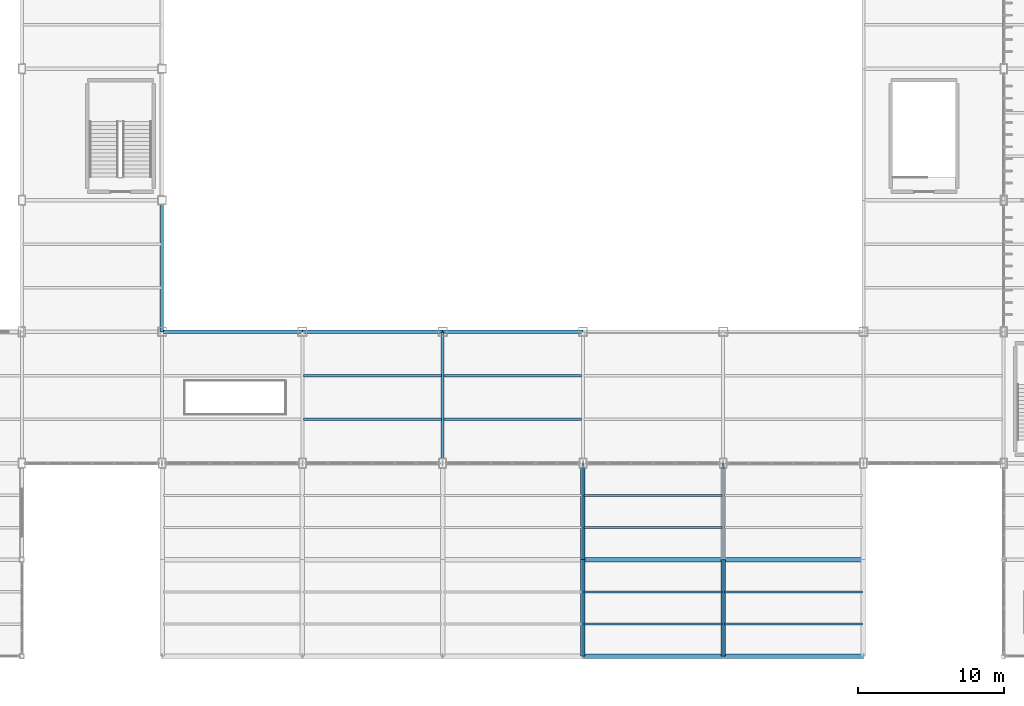
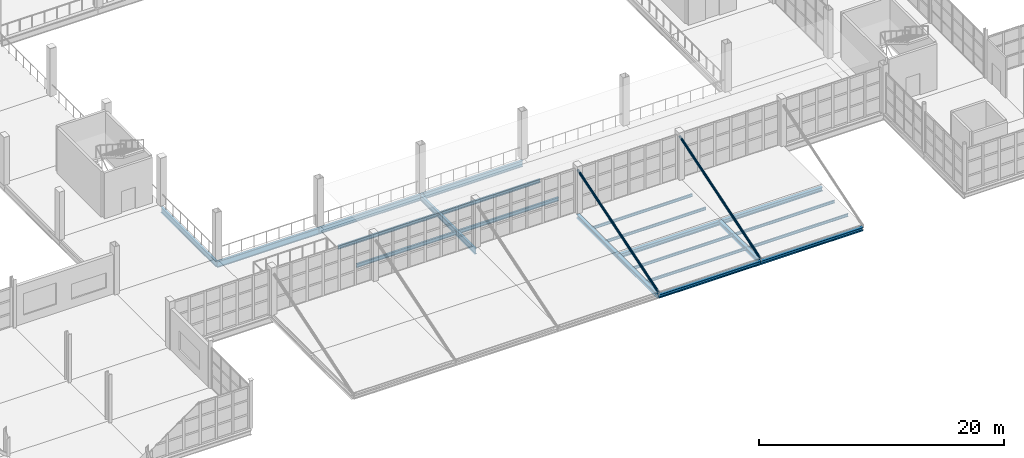
# One storey, part 29 of 120: 22 beams, 2 members.
"""IFC4 building model written with IfcOpenShell, lengths in metres."""

import ifcopenshell
import ifcopenshell.guid

model = None  # the IFC model being written
_history = None  # IfcOwnerHistory: only IFC2X3 demands one
_inside = {}  # id of a spatial element -> (the spatial element, [elements in it])
_under = {}  # id of a project, library or spatial element -> (it, [spatial elements below it])
_declared = {}  # id of a project -> (the project, [libraries it declares])
_typed = {}  # id of a type object -> (the type object, [elements of that type])
_made_of = {}  # id of a material, layer set ... -> (it, [elements and type objects made of it])


def new_model(schema):
    """Start an empty IFC model of exactly this schema.

    Asked for "IFC4X3", IfcOpenShell would pick the latest addendum, in which some entities
    have other attributes; the version numbers below select the first issue.
    IFC2X3 requires an IfcOwnerHistory on every rooted entity: one is made here for all.
    """
    global model, _history
    if schema == "IFC4X3":
        model = ifcopenshell.file(schema_version=(4, 3, 0, 0))
    else:
        model = ifcopenshell.file(schema=schema)
    _inside.clear()
    _under.clear()
    _declared.clear()
    _typed.clear()
    _made_of.clear()
    _history = None
    if model.schema == "IFC2X3":
        org = make("IfcOrganization", Name="unknown")
        user = make(
            "IfcPersonAndOrganization",
            ThePerson=make("IfcPerson", FamilyName="unknown"),
            TheOrganization=org,
        )
        app = make(
            "IfcApplication",
            ApplicationDeveloper=org,
            Version="unknown",
            ApplicationFullName="unknown",
            ApplicationIdentifier="unknown",
        )
        _history = make(
            "IfcOwnerHistory",
            OwningUser=user,
            OwningApplication=app,
            ChangeAction="ADDED",
            CreationDate=0,
        )
    return model


def make(cls, **values):
    """One entity of the class cls with the attributes given. An attribute that is None is left unset."""
    return model.create_entity(
        cls, **{name: value for name, value in values.items() if value is not None}
    )


def rooted(cls, **values):
    """An entity with a GlobalId (a new one), such as an element, a storey or a relation."""
    return make(cls, GlobalId=ifcopenshell.guid.new(), OwnerHistory=_history, **values)


def si_unit(unit_type, name, prefix=None):
    """IfcSIUnit, for example si_unit("LENGTHUNIT", "METRE", prefix="MILLI")."""
    return make("IfcSIUnit", UnitType=unit_type, Prefix=prefix, Name=name)


def assignment(units):
    """IfcUnitAssignment: the units of a project."""
    return None if units is None else make("IfcUnitAssignment", Units=units)


def point(xyz):
    """IfcCartesianPoint."""
    return None if xyz is None else make("IfcCartesianPoint", Coordinates=xyz)


def direction(xyz):
    """IfcDirection."""
    return None if xyz is None else make("IfcDirection", DirectionRatios=xyz)


def frame(location, z_axis=None, x_axis=None):
    """IfcAxis2Placement3D, a coordinate frame: its origin and axes. An axis left out is left unset."""
    return make(
        "IfcAxis2Placement3D",
        Location=point(location),
        Axis=direction(z_axis),
        RefDirection=direction(x_axis),
    )


def frame_2d(location, x_axis=None):
    """IfcAxis2Placement2D, a coordinate frame in the plane: its origin and x axis."""
    return make(
        "IfcAxis2Placement2D", Location=point(location), RefDirection=direction(x_axis)
    )


def origin():
    """The frame at (0, 0, 0) with its axes left unset."""
    return frame((0.0, 0.0, 0.0))


def origin_2d():
    """The frame at (0, 0) in the plane with its x axis left unset."""
    return frame_2d((0.0, 0.0))


def place(relative_to, where):
    """IfcLocalPlacement: puts the frame where relative to a parent placement (None: the world)."""
    return make(
        "IfcLocalPlacement", PlacementRelTo=relative_to, RelativePlacement=where
    )


def context(
    kind, dimensions, precision=None, world=None, true_north=None, identifier=None
):
    """IfcGeometricRepresentationContext, for example the 3D "Model" context."""
    return make(
        "IfcGeometricRepresentationContext",
        ContextIdentifier=identifier,
        ContextType=kind,
        CoordinateSpaceDimension=dimensions,
        Precision=precision,
        WorldCoordinateSystem=world,
        TrueNorth=true_north,
    )


def subcontext(parent, identifier, kind, view, scale=None):
    """IfcGeometricRepresentationSubContext, for example "Body" below "Model"."""
    return make(
        "IfcGeometricRepresentationSubContext",
        ContextIdentifier=identifier,
        ContextType=kind,
        ParentContext=parent,
        TargetScale=scale,
        TargetView=view,
    )


def project(units=None, contexts=None):
    """IfcProject with its units and contexts."""
    return rooted(
        "IfcProject",
        Name="project",
        RepresentationContexts=contexts,
        UnitsInContext=assignment(units),
    )


def spatial(cls, under=None, at=None, **own):
    """A site, building, storey or space (cls), placed at a placement, below another one or the project."""
    s = rooted(cls, ObjectPlacement=at, **own)
    if under is not None:
        _under.setdefault(under.id(), (under, []))[1].append(s)
    return s


def profile(cls, at=None, kind="AREA", **sizes):
    """A parametric profile (cls). Its sizes go by their IFC names, for example OverallWidth=200.0."""
    return make(cls, ProfileType=kind, Position=at, **sizes)


def hollow_circle(**sizes):
    """IfcCircleHollowProfileDef."""
    return profile("IfcCircleHollowProfileDef", **sizes)


def i_section(**sizes):
    """IfcIShapeProfileDef."""
    return profile("IfcIShapeProfileDef", **sizes)


def extrude(swept, where, along, depth):
    """IfcExtrudedAreaSolid: the profile swept, set in the frame where, extruded along a direction by depth."""
    return make(
        "IfcExtrudedAreaSolid",
        SweptArea=swept,
        Position=where,
        ExtrudedDirection=direction(along),
        Depth=depth,
    )


def shape(context_of_items, identifier, shape_type, items):
    """IfcShapeRepresentation: the items that make up one representation, for example the "Body"."""
    return make(
        "IfcShapeRepresentation",
        ContextOfItems=context_of_items,
        RepresentationIdentifier=identifier,
        RepresentationType=shape_type,
        Items=items,
    )


def material(Name=None, Category=None):
    """IfcMaterial."""
    return make("IfcMaterial", Name=Name, Category=Category)


def material_profile(
    of_material, cross_section, Name=None, Category=None, Priority=None
):
    """IfcMaterialProfile: a cross section and its material."""
    return make(
        "IfcMaterialProfile",
        Name=Name,
        Material=of_material,
        Profile=cross_section,
        Priority=Priority,
        Category=Category,
    )


def profile_set(profiles, Name=None, composite=None):
    """IfcMaterialProfileSet."""
    return make(
        "IfcMaterialProfileSet",
        Name=Name,
        MaterialProfiles=profiles,
        CompositeProfile=composite,
    )


def made_of(thing, what):
    """Note that an element or type object is made of a material, layer set ...; save() writes the relation."""
    if what is not None:
        _made_of.setdefault(what.id(), (what, []))[1].append(thing)
    return thing


def type_object(cls, material=None, **own):
    """A type object (cls), such as IfcWallType, which elements share."""
    return made_of(rooted(cls, **own), material)


def element(
    cls,
    number,
    at=None,
    inside=None,
    cuts=None,
    type_object=None,
    material=None,
    context=None,
    identifier="Body",
    shape_type=None,
    held_by="IfcProductDefinitionShape",
    body=None,
    shapes=None,
    **own,
):
    """One element of the class cls, such as IfcWall. Its Tag is "e" and its number.

    at: its placement. inside: the storey or other place that contains it. cuts: it is an
    opening in that element (IfcRelVoidsElement). A single representation is given by context,
    identifier, shape_type and body (its items); several are given by shapes. held_by: the class
    of the entity that holds the representations. save() writes the other relations.
    """
    e = rooted(cls, Tag="e%d" % number, ObjectPlacement=at, **own)
    if body is not None:
        shapes = [shape(context, identifier, shape_type, body)]
    if shapes is not None:
        e.Representation = make(held_by, Representations=shapes)
    if inside is not None:
        _inside.setdefault(inside.id(), (inside, []))[1].append(e)
    if cuts is not None:
        rooted(
            "IfcRelVoidsElement", RelatingBuildingElement=cuts, RelatedOpeningElement=e
        )
    if type_object is not None:
        _typed.setdefault(type_object.id(), (type_object, []))[1].append(e)
    return made_of(e, material)


def aggregate(whole, parts):
    """IfcRelAggregates: a whole, such as a stair, and the parts it consists of."""
    return rooted("IfcRelAggregates", RelatingObject=whole, RelatedObjects=parts)


def save(model, path):
    """Write the relations noted so far, then the file.

    IfcRelAggregates (storeys below a building ...), IfcRelContainedInSpatialStructure (elements
    in a storey), IfcRelDefinesByType, IfcRelAssociatesMaterial and IfcRelDeclares: one each for
    every whole, place, type object, material and project.
    """
    for whole, parts in _under.values():
        aggregate(whole, parts)
    for where, things in _inside.values():
        rooted(
            "IfcRelContainedInSpatialStructure",
            RelatedElements=things,
            RelatingStructure=where,
        )
    for kind, things in _typed.values():
        rooted("IfcRelDefinesByType", RelatedObjects=things, RelatingType=kind)
    for what, things in _made_of.values():
        rooted("IfcRelAssociatesMaterial", RelatedObjects=things, RelatingMaterial=what)
    for by, libraries in _declared.values():
        rooted("IfcRelDeclares", RelatingContext=by, RelatedDefinitions=libraries)
    model.write(path)


model = new_model("IFC4")

# Units and contexts
model_context = context("Model", 3, precision=1e-05, world=origin(), true_north=direction((0.0, 1.0)))
body_context = subcontext(model_context, "Body", "Model", "MODEL_VIEW")
ifc_project = project(units=[si_unit("LENGTHUNIT", "METRE"), si_unit("AREAUNIT", "SQUARE_METRE"), si_unit("VOLUMEUNIT", "CUBIC_METRE"), si_unit("PLANEANGLEUNIT", "RADIAN"), si_unit("MASSUNIT", "GRAM", prefix="KILO")], contexts=[model_context])

# Site, building, storey
site_placement = place(None, origin())
site = spatial("IfcSite", under=ifc_project, at=site_placement, CompositionType="ELEMENT")
building_placement = place(site_placement, origin())
building = spatial("IfcBuilding", under=site, at=building_placement, Name="Zarnetskaya Central Station", CompositionType="ELEMENT")
storey_placement = place(building_placement, frame((0.0, 0.0, 5.39990234375)))
storey = spatial("IfcBuildingStorey", under=building, at=storey_placement, Name="L01", CompositionType="ELEMENT", Elevation=5.39990234375)

# Beams
ifc_material = material(Name="Steel S355", Category="steel")
ifc_material_profile_1 = material_profile(ifc_material, i_section(OverallWidth=0.135009765625, OverallDepth=0.27001953125, WebThickness=0.006591796875, FlangeThickness=0.01025390625, FilletRadius=0.014892578125, at=origin_2d()), Name="IPE 270")
ifc_profile_set_1 = profile_set([ifc_material_profile_1], Name="Steel S355")
beam_type_1 = type_object("IfcBeamType", Name="BM-JST-270", PredefinedType="JOIST", material=ifc_profile_set_1)
for number, where, z_axis, x_axis, name in (
    (1, (96.080078125, 2.199951171875, -0.294921875), (1.0, 0.0, 0.0), (0.0, 1.0, 0.0), "Secondary floor beam SEC-L01-Z524-LM-12-1"),
    (2, (96.080078125, 4.39990234375, -0.294921875), (1.0, 0.0, 0.0), (0.0, 1.0, 0.0), "Secondary floor beam SEC-L01-Z524-LM-12-2"),
    (3, (96.080078125, 8.800048828125, -0.294921875), (1.0, 0.0, 0.0), (0.0, 1.0, 0.0), "Secondary floor beam SEC-L01-Z524-LM-23-1"),
    (4, (96.080078125, 11.0, -0.294921875), (1.0, 0.0, 0.0), (0.0, 1.0, 0.0), "Secondary floor beam SEC-L01-Z524-LM-23-2"),
):
    element("IfcBeam", number, at=place(storey_placement, frame(where, z_axis=z_axis, x_axis=x_axis)), inside=storey, type_object=beam_type_1, Name=name, PredefinedType="JOIST", context=body_context, shape_type="SweptSolid", body=[
        extrude(i_section(OverallWidth=0.135009765625, OverallDepth=0.27001953125, WebThickness=0.006591796875, FlangeThickness=0.01025390625, FilletRadius=0.014892578125, at=origin_2d()), origin(), (0.0, 0.0, 1.0), 9.43994140625),
    ])
for number, where, z_axis, x_axis, name in (
    (5, (105.679931640625, 2.199951171875, -0.294921875), (1.0, 0.0, 0.0), (0.0, 1.0, 0.0), "Secondary floor beam SEC-L01-Z524-MN-12-1"),
    (6, (105.679931640625, 4.39990234375, -0.294921875), (1.0, 0.0, 0.0), (0.0, 1.0, 0.0), "Secondary floor beam SEC-L01-Z524-MN-12-2"),
):
    element("IfcBeam", number, at=place(storey_placement, frame(where, z_axis=z_axis, x_axis=x_axis)), inside=storey, type_object=beam_type_1, Name=name, PredefinedType="JOIST", context=body_context, shape_type="SweptSolid", body=[
        extrude(i_section(OverallWidth=0.135009765625, OverallDepth=0.27001953125, WebThickness=0.006591796875, FlangeThickness=0.01025390625, FilletRadius=0.014892578125, at=origin_2d()), origin(), (0.0, 0.0, 1.0), 9.440185546875),
    ])
ifc_material_profile_2 = material_profile(ifc_material, i_section(OverallWidth=0.169921875, OverallDepth=0.360107421875, WebThickness=0.008056640625, FlangeThickness=0.0126953125, FilletRadius=0.01806640625, at=origin_2d()), Name="IPE 360")
ifc_profile_set_2 = profile_set([ifc_material_profile_2], Name="Steel S355")
beam_type_2 = type_object("IfcBeamType", Name="BM-SEC-360", PredefinedType="BEAM", material=ifc_profile_set_2)
for number, where, z_axis, x_axis, name in (
    (7, (76.8798828125, 16.199951171875, -0.4599609375), (1.0, 0.0, 0.0), (0.0, 1.0, 0.0), "Secondary floor beam SEC-L01-Z512-JK-34-1"),
    (8, (76.8798828125, 19.199951171875, -0.4599609375), (1.0, 0.0, 0.0), (0.0, 1.0, 0.0), "Secondary floor beam SEC-L01-Z512-JK-34-2"),
):
    element("IfcBeam", number, at=place(storey_placement, frame(where, z_axis=z_axis, x_axis=x_axis)), inside=storey, type_object=beam_type_2, Name=name, PredefinedType="BEAM", context=body_context, shape_type="SweptSolid", body=[
        extrude(i_section(OverallWidth=0.169921875, OverallDepth=0.360107421875, WebThickness=0.008056640625, FlangeThickness=0.0126953125, FilletRadius=0.01806640625, at=origin_2d()), origin(), (0.0, 0.0, 1.0), 9.440185546875),
    ])
for number, where, z_axis, x_axis, name in (
    (9, (86.47998046875, 16.199951171875, -0.4599609375), (1.0, 0.0, 0.0), (0.0, 1.0, 0.0), "Secondary floor beam SEC-L01-Z512-KL-34-1"),
    (10, (86.47998046875, 19.199951171875, -0.4599609375), (1.0, 0.0, 0.0), (0.0, 1.0, 0.0), "Secondary floor beam SEC-L01-Z512-KL-34-2"),
):
    element("IfcBeam", number, at=place(storey_placement, frame(where, z_axis=z_axis, x_axis=x_axis)), inside=storey, type_object=beam_type_2, Name=name, PredefinedType="BEAM", context=body_context, shape_type="SweptSolid", body=[
        extrude(i_section(OverallWidth=0.169921875, OverallDepth=0.360107421875, WebThickness=0.008056640625, FlangeThickness=0.0126953125, FilletRadius=0.01806640625, at=origin_2d()), origin(), (0.0, 0.0, 1.0), 9.43994140625),
    ])
ifc_material_profile_3 = material_profile(ifc_material, i_section(OverallWidth=0.300048828125, OverallDepth=0.35009765625, WebThickness=0.010009765625, FlangeThickness=0.017578125, FilletRadius=0.027099609375, at=origin_2d()), Name="HEA 360")
ifc_profile_set_3 = profile_set([ifc_material_profile_3], Name="Steel S355")
beam_type_3 = type_object("IfcBeamType", Name="BM-SPN-EAVE", PredefinedType="SPANDREL", material=ifc_profile_set_3)
beam_1_placement = place(storey_placement, frame((96.0, 0.0, -0.3349609375), z_axis=(1.0, 0.0, 0.0), x_axis=(0.0, 1.0, 0.0)))
element("IfcBeam", 11, at=beam_1_placement, inside=storey, type_object=beam_type_3, Name="Grid girder GX-L01-1-LM", PredefinedType="SPANDREL", context=body_context, shape_type="SweptSolid", body=[
    extrude(i_section(OverallWidth=0.300048828125, OverallDepth=0.35009765625, WebThickness=0.010009765625, FlangeThickness=0.017578125, FilletRadius=0.027099609375, at=origin_2d()), origin(), (0.0, 0.0, 1.0), 9.60009765625),
])
beam_2_placement = place(storey_placement, frame((105.60009765625, 0.0, -0.3349609375), z_axis=(1.0, 0.0, 0.0), x_axis=(0.0, 1.0, 0.0)))
element("IfcBeam", 12, at=beam_2_placement, inside=storey, type_object=beam_type_3, Name="Grid girder GX-L01-1-MN", PredefinedType="SPANDREL", context=body_context, shape_type="SweptSolid", body=[
    extrude(i_section(OverallWidth=0.300048828125, OverallDepth=0.35009765625, WebThickness=0.010009765625, FlangeThickness=0.017578125, FilletRadius=0.027099609375, at=origin_2d()), origin(), (0.0, 0.0, 1.0), 9.599853515625),
])
ifc_material_profile_4 = material_profile(ifc_material, i_section(OverallWidth=0.2099609375, OverallDepth=0.550048828125, WebThickness=0.010986328125, FlangeThickness=0.01708984375, FilletRadius=0.02392578125, at=origin_2d()), Name="IPE 550")
ifc_profile_set_4 = profile_set([ifc_material_profile_4], Name="Steel S355")
beam_type_4 = type_object("IfcBeamType", Name="GD-FLR-550", PredefinedType="USERDEFINED", material=ifc_profile_set_4)
for number, where, z_axis, x_axis, name in (
    (13, (67.199951171875, 22.199951171875, -0.554931640625), (0.0, 1.0, 0.0), (-1.0, 0.0, 0.0), "Grid girder GY-L01-H-45"),
    (14, (86.39990234375, 13.199951171875, -0.554931640625), (0.0, 1.0, 0.0), (-1.0, 0.0, 0.0), "Grid girder GY-L01-K-34"),
):
    element("IfcBeam", number, at=place(storey_placement, frame(where, z_axis=z_axis, x_axis=x_axis)), inside=storey, type_object=beam_type_4, Name=name, ObjectType="GIRDER", PredefinedType="USERDEFINED", context=body_context, shape_type="SweptSolid", body=[
        extrude(i_section(OverallWidth=0.2099609375, OverallDepth=0.550048828125, WebThickness=0.010986328125, FlangeThickness=0.01708984375, FilletRadius=0.02392578125, at=origin_2d()), origin(), (0.0, 0.0, 1.0), 9.0),
    ])
ifc_material_profile_5 = material_profile(ifc_material, i_section(OverallWidth=0.219970703125, OverallDepth=0.60009765625, WebThickness=0.011962890625, FlangeThickness=0.01904296875, FilletRadius=0.02392578125, at=origin_2d()), Name="IPE 600")
ifc_profile_set_5 = profile_set([ifc_material_profile_5], Name="Steel S355")
beam_type_5 = type_object("IfcBeamType", Name="GD-FLR-600", PredefinedType="USERDEFINED", material=ifc_profile_set_5)
beam_3_placement = place(storey_placement, frame((67.199951171875, 22.199951171875, -0.579833984375), z_axis=(1.0, 0.0, 0.0), x_axis=(0.0, 1.0, 0.0)))
element("IfcBeam", 15, at=beam_3_placement, inside=storey, type_object=beam_type_5, Name="Grid girder GX-L01-4-HJ", ObjectType="GIRDER", PredefinedType="USERDEFINED", context=body_context, shape_type="SweptSolid", body=[
    extrude(i_section(OverallWidth=0.219970703125, OverallDepth=0.60009765625, WebThickness=0.011962890625, FlangeThickness=0.01904296875, FilletRadius=0.02392578125, at=origin_2d()), origin(), (0.0, 0.0, 1.0), 9.60009765625),
])
beam_4_placement = place(storey_placement, frame((76.800048828125, 22.199951171875, -0.579833984375), z_axis=(1.0, 0.0, 0.0), x_axis=(0.0, 1.0, 0.0)))
element("IfcBeam", 16, at=beam_4_placement, inside=storey, type_object=beam_type_5, Name="Grid girder GX-L01-4-JK", ObjectType="GIRDER", PredefinedType="USERDEFINED", context=body_context, shape_type="SweptSolid", body=[
    extrude(i_section(OverallWidth=0.219970703125, OverallDepth=0.60009765625, WebThickness=0.011962890625, FlangeThickness=0.01904296875, FilletRadius=0.02392578125, at=origin_2d()), origin(), (0.0, 0.0, 1.0), 9.599853515625),
])
beam_5_placement = place(storey_placement, frame((86.39990234375, 22.199951171875, -0.579833984375), z_axis=(1.0, 0.0, 0.0), x_axis=(0.0, 1.0, 0.0)))
element("IfcBeam", 17, at=beam_5_placement, inside=storey, type_object=beam_type_5, Name="Grid girder GX-L01-4-KL", ObjectType="GIRDER", PredefinedType="USERDEFINED", context=body_context, shape_type="SweptSolid", body=[
    extrude(i_section(OverallWidth=0.219970703125, OverallDepth=0.60009765625, WebThickness=0.011962890625, FlangeThickness=0.01904296875, FilletRadius=0.02392578125, at=origin_2d()), origin(), (0.0, 0.0, 1.0), 9.60009765625),
])
ifc_material_profile_6 = material_profile(ifc_material, i_section(OverallWidth=0.300048828125, OverallDepth=0.389892578125, WebThickness=0.010986328125, FlangeThickness=0.01904296875, FilletRadius=0.027099609375, at=origin_2d()), Name="HEA 400")
ifc_profile_set_6 = profile_set([ifc_material_profile_6], Name="Steel S355")
beam_type_6 = type_object("IfcBeamType", Name="GD-ROOF-400", PredefinedType="USERDEFINED", material=ifc_profile_set_6)
beam_6_placement = place(storey_placement, frame((96.0, 0.0, -0.35498046875), z_axis=(0.0, 1.0, 0.0), x_axis=(-1.0, 0.0, 0.0)))
element("IfcBeam", 18, at=beam_6_placement, inside=storey, type_object=beam_type_6, Name="Grid girder GY-L01-L-12", ObjectType="GIRDER", PredefinedType="USERDEFINED", context=body_context, shape_type="SweptSolid", body=[
    extrude(i_section(OverallWidth=0.300048828125, OverallDepth=0.389892578125, WebThickness=0.010986328125, FlangeThickness=0.01904296875, FilletRadius=0.027099609375, at=origin_2d()), origin(), (0.0, 0.0, 1.0), 6.60009765625),
])
beam_7_placement = place(storey_placement, frame((96.0, 6.60009765625, -0.35498046875), z_axis=(0.0, 1.0, 0.0), x_axis=(-1.0, 0.0, 0.0)))
element("IfcBeam", 19, at=beam_7_placement, inside=storey, type_object=beam_type_6, Name="Grid girder GY-L01-L-23", ObjectType="GIRDER", PredefinedType="USERDEFINED", context=body_context, shape_type="SweptSolid", body=[
    extrude(i_section(OverallWidth=0.300048828125, OverallDepth=0.389892578125, WebThickness=0.010986328125, FlangeThickness=0.01904296875, FilletRadius=0.027099609375, at=origin_2d()), origin(), (0.0, 0.0, 1.0), 6.599853515625),
])
beam_8_placement = place(storey_placement, frame((96.0, 6.60009765625, -0.35498046875), z_axis=(1.0, 0.0, 0.0), x_axis=(0.0, 1.0, 0.0)))
element("IfcBeam", 20, at=beam_8_placement, inside=storey, type_object=beam_type_6, Name="Grid girder GX-L01-2-LM", ObjectType="GIRDER", PredefinedType="USERDEFINED", context=body_context, shape_type="SweptSolid", body=[
    extrude(i_section(OverallWidth=0.300048828125, OverallDepth=0.389892578125, WebThickness=0.010986328125, FlangeThickness=0.01904296875, FilletRadius=0.027099609375, at=origin_2d()), origin(), (0.0, 0.0, 1.0), 9.60009765625),
])
beam_9_placement = place(storey_placement, frame((105.60009765625, 0.0, -0.35498046875), z_axis=(0.0, 1.0, 0.0), x_axis=(-1.0, 0.0, 0.0)))
element("IfcBeam", 21, at=beam_9_placement, inside=storey, type_object=beam_type_6, Name="Grid girder GY-L01-M-12", ObjectType="GIRDER", PredefinedType="USERDEFINED", context=body_context, shape_type="SweptSolid", body=[
    extrude(i_section(OverallWidth=0.300048828125, OverallDepth=0.389892578125, WebThickness=0.010986328125, FlangeThickness=0.01904296875, FilletRadius=0.027099609375, at=origin_2d()), origin(), (0.0, 0.0, 1.0), 6.60009765625),
])
beam_10_placement = place(storey_placement, frame((105.60009765625, 6.60009765625, -0.35498046875), z_axis=(1.0, 0.0, 0.0), x_axis=(0.0, 1.0, 0.0)))
element("IfcBeam", 22, at=beam_10_placement, inside=storey, type_object=beam_type_6, Name="Grid girder GX-L01-2-MN", ObjectType="GIRDER", PredefinedType="USERDEFINED", context=body_context, shape_type="SweptSolid", body=[
    extrude(i_section(OverallWidth=0.300048828125, OverallDepth=0.389892578125, WebThickness=0.010986328125, FlangeThickness=0.01904296875, FilletRadius=0.027099609375, at=origin_2d()), origin(), (0.0, 0.0, 1.0), 9.599853515625),
])

# Members
ifc_material_profile_7 = material_profile(ifc_material, hollow_circle(Radius=0.109619140625, WallThickness=0.010009765625, at=origin_2d()), Name="CHS 219.1x10")
ifc_profile_set_7 = profile_set([ifc_material_profile_7], Name="Steel S355")
member_type = type_object("IfcMemberType", Name="MB-FCAN-TIE", PredefinedType="STRUT", material=ifc_profile_set_7)
for number, where, z_axis, x_axis, name in (
    (23, (96.0, 13.199951171875, 4.2001953125), (0.0, -0.952671589455, -0.304001385926), (1.0, 0.0, 0.0), "Forecourt canopy suspension tie L"),
    (24, (105.60009765625, 13.199951171875, 4.2001953125), (0.0, -0.952671589455, -0.304001385926), (1.0, 0.0, 0.0), "Forecourt canopy suspension tie M"),
):
    element("IfcMember", number, at=place(storey_placement, frame(where, z_axis=z_axis, x_axis=x_axis)), inside=storey, type_object=member_type, Name=name, PredefinedType="STRUT", context=body_context, shape_type="SweptSolid", body=[
        extrude(hollow_circle(Radius=0.109619140625, WallThickness=0.010009765625, at=origin_2d()), origin(), (0.0, 0.0, 1.0), 13.855712890625),
    ])

save(model, "model.ifc")
